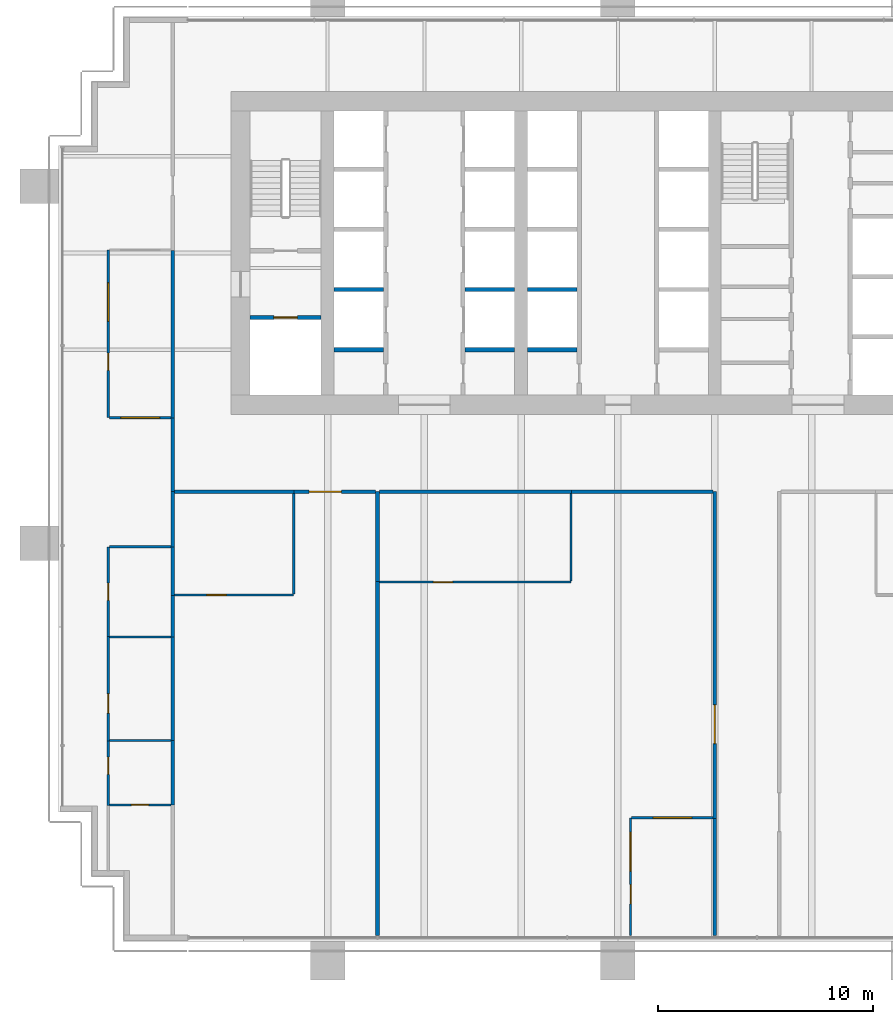
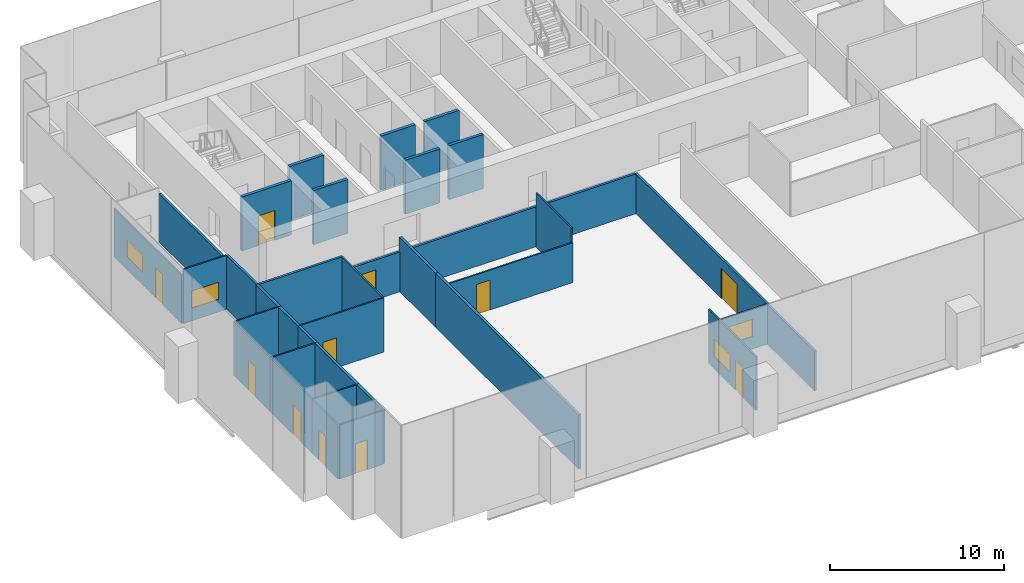
# One storey, part 12 of 19: 37 walls, 11 doors, 4 windows, 15 openings.
"""IFC4 building model written with IfcOpenShell, lengths in metres."""

from ifc_helpers import new_model, si_unit, direction, frame, frame_2d, origin, place, context, subcontext, project, spatial, rectangle, extrude, material, layer, layer_set, type_object, element, fill, save


model = new_model("IFC4")

# Units and contexts
model_context = context("Model", 3, precision=1e-05, world=origin(), true_north=direction((0.0, 1.0)))
body_context = subcontext(model_context, "Body", "Model", "MODEL_VIEW")
ifc_project = project(units=[si_unit("LENGTHUNIT", "METRE"), si_unit("AREAUNIT", "SQUARE_METRE"), si_unit("VOLUMEUNIT", "CUBIC_METRE"), si_unit("PLANEANGLEUNIT", "RADIAN"), si_unit("MASSUNIT", "GRAM", prefix="KILO")], contexts=[model_context])

# Site, building, storey
site_placement = place(None, origin())
site = spatial("IfcSite", under=ifc_project, at=site_placement, CompositionType="ELEMENT")
building_placement = place(site_placement, origin())
building = spatial("IfcBuilding", under=site, at=building_placement, Name="Rattan Terrace Tower", CompositionType="ELEMENT")
storey_placement = place(building_placement, frame((0.0, 0.0, 91.699951171875)))
storey = spatial("IfcBuildingStorey", under=building, at=storey_placement, Name="L20", CompositionType="ELEMENT", Elevation=91.699951171875)

# Wall, opening, door
ifc_material_1 = material(Name="Gypsum board partition")
ifc_layer_1 = layer(ifc_material_1, 0.199951171875)
ifc_layer_set_1 = layer_set([ifc_layer_1], Name="Core partition 200")
wall_type_1 = type_object("IfcWallType", Name="Core partition 200", PredefinedType="PARTITIONING", material=ifc_layer_set_1)
wall_1_placement = place(storey_placement, frame((-17.10009765625, -3.0, 0.0), z_axis=(0.0, 0.0, 1.0), x_axis=(1.0, 0.0, 0.0)))
wall_1 = element("IfcWall", 1, at=wall_1_placement, inside=storey, type_object=wall_type_1, Name="Fire-fighting lobby wall", PredefinedType="PARTITIONING", context=body_context, shape_type="SweptSolid", body=[
    extrude(rectangle(XDim=3.300048828125, YDim=0.199951171875, at=frame_2d((1.64990234375, 0.0))), origin(), (0.0, 0.0, 1.0), 3.800048828125),
])
opening_1_placement = place(wall_1_placement, frame((1.10009765625, 0.0, 0.0)))
opening_1 = element("IfcOpeningElement", 2, at=opening_1_placement, cuts=wall_1, Name="Opening L20-LD-FF1", PredefinedType="OPENING", context=body_context, shape_type="SweptSolid", body=[
    extrude(rectangle(XDim=1.10009765625, YDim=2.10009765625, at=frame_2d((0.550048828125, 1.050048828125))), frame((0.0, 0.110595703125, 0.0), z_axis=(0.0, -1.0, 0.0), x_axis=(1.0, 0.0, 0.0)), (0.0, 0.0, 1.0), 0.220947265625),
])
ifc_material_2 = material(Name="Brushed stainless landing door panel")
door_type_1 = type_object("IfcDoorType", Name="Core lift landing door 1100", OperationType="DOUBLE_DOOR_SLIDING", PredefinedType="DOOR", material=ifc_material_2)
door_1_placement = place(opening_1_placement, origin())
door_1 = element("IfcDoor", 3, at=door_1_placement, inside=storey, type_object=door_type_1, Name="Door L20-LD-FF1", OperationType="DOUBLE_DOOR_SLIDING", OverallHeight=2.10009765625, OverallWidth=1.10009765625, PredefinedType="DOOR", context=body_context, shape_type="SweptSolid", body=[
    extrude(rectangle(XDim=1.10009765625, YDim=2.10009765625, at=frame_2d((0.550048828125, 1.050048828125))), frame((0.0, 0.02490234375, 0.0), z_axis=(0.0, -1.0, 0.0), x_axis=(1.0, 0.0, 0.0)), (0.0, 0.0, 1.0), 0.050048828125),
])
fill(opening_1, door_1)

# Walls
ifc_material_3 = material(Name="Double steel stud acoustic partition, gypsum board, mineral wool, fire rated", Category="steel")
ifc_layer_2 = layer(ifc_material_3, 0.179931640625)
ifc_layer_set_2 = layer_set([ifc_layer_2], Name="Floors Acoustic Party Wall 180")
wall_type_2 = type_object("IfcWallType", Name="Floors Acoustic Party Wall 180", PredefinedType="PARTITIONING", material=ifc_layer_set_2)
wall_2_placement = place(storey_placement, frame((-20.699951171875, -11.080078125, 0.0), z_axis=(0.0, 0.0, 1.0), x_axis=(0.0, -1.0, 0.0)))
element("IfcWall", 4, at=wall_2_placement, inside=storey, type_object=wall_type_2, Name="pt-L20-026", PredefinedType="PARTITIONING", context=body_context, shape_type="SweptSolid", body=[
    extrude(rectangle(XDim=2.579833984375, YDim=0.179931640625, at=frame_2d((1.2900390625, 0.0))), origin(), (0.0, 0.0, 1.0), 3.800048828125),
])
wall_3_placement = place(storey_placement, frame((-20.699951171875, -22.659912109375, 0.0), z_axis=(0.0, 0.0, 1.0), x_axis=(0.0, -1.0, 0.0)))
element("IfcWall", 5, at=wall_3_placement, inside=storey, type_object=wall_type_2, Name="pt-L20-030", PredefinedType="PARTITIONING", context=body_context, shape_type="SweptSolid", body=[
    extrude(rectangle(XDim=3.0, YDim=0.179931640625, at=frame_2d((1.5, 0.0))), origin(), (0.0, 0.0, 1.0), 3.800048828125),
])
wall_4_placement = place(storey_placement, frame((-20.699951171875, -17.860107421875, 0.0), z_axis=(0.0, 0.0, 1.0), x_axis=(0.0, -1.0, 0.0)))
element("IfcWall", 6, at=wall_4_placement, inside=storey, type_object=wall_type_2, Name="pt-L20-032", PredefinedType="PARTITIONING", context=body_context, shape_type="SweptSolid", body=[
    extrude(rectangle(XDim=4.7998046875, YDim=0.179931640625, at=frame_2d((2.39990234375, 0.0))), origin(), (0.0, 0.0, 1.0), 3.800048828125),
])
wall_5_placement = place(storey_placement, frame((-20.699951171875, -15.919921875, 0.0), z_axis=(0.0, 0.0, 1.0), x_axis=(0.0, -1.0, 0.0)))
element("IfcWall", 7, at=wall_5_placement, inside=storey, type_object=wall_type_2, Name="pt-L20-033", PredefinedType="PARTITIONING", context=body_context, shape_type="SweptSolid", body=[
    extrude(rectangle(XDim=1.940185546875, YDim=0.179931640625, at=frame_2d((0.97021484375, 0.0))), origin(), (0.0, 0.0, 1.0), 3.800048828125),
])
wall_6_placement = place(storey_placement, frame((-20.699951171875, -13.659912109375, 0.0), z_axis=(0.0, 0.0, 1.0), x_axis=(0.0, -1.0, 0.0)))
element("IfcWall", 8, at=wall_6_placement, inside=storey, type_object=wall_type_2, Name="pt-L20-034", PredefinedType="PARTITIONING", context=body_context, shape_type="SweptSolid", body=[
    extrude(rectangle(XDim=2.260009765625, YDim=0.179931640625, at=frame_2d((1.1298828125, 0.0))), origin(), (0.0, 0.0, 1.0), 3.800048828125),
])
wall_7_placement = place(storey_placement, frame((-11.176025390625, -15.280029296875, 0.0), z_axis=(0.0, 0.0, 1.0), x_axis=(0.0, -1.0, 0.0)))
element("IfcWall", 9, at=wall_7_placement, inside=storey, type_object=wall_type_2, Name="pt-L20-059", PredefinedType="PARTITIONING", context=body_context, shape_type="SweptSolid", body=[
    extrude(rectangle(XDim=16.4599609375, YDim=0.179931640625, at=frame_2d((8.22998046875, 0.0))), origin(), (0.0, 0.0, 1.0), 3.800048828125),
])
wall_8_placement = place(storey_placement, frame((-11.176025390625, -11.10009765625, 0.0), z_axis=(0.0, 0.0, 1.0), x_axis=(0.0, -1.0, 0.0)))
element("IfcWall", 10, at=wall_8_placement, inside=storey, type_object=wall_type_2, Name="pt-L20-060", PredefinedType="PARTITIONING", context=body_context, shape_type="SweptSolid", body=[
    extrude(rectangle(XDim=4.179931640625, YDim=0.179931640625, at=frame_2d((2.08984375, 0.0))), origin(), (0.0, 0.0, 1.0), 3.800048828125),
])

# Wall, opening, door
ifc_material_4 = material(Name="Gypsum board partition on steel studs", Category="steel")
ifc_layer_3 = layer(ifc_material_4, 0.10009765625)
ifc_layer_set_3 = layer_set([ifc_layer_3], Name="Floors Partition 100")
wall_type_3 = type_object("IfcWallType", Name="Floors Partition 100", PredefinedType="PARTITIONING", material=ifc_layer_set_3)
wall_9_placement = place(storey_placement, frame((-23.699951171875, -22.679931640625, 0.0), z_axis=(0.0, 0.0, 1.0), x_axis=(0.0, -1.0, 0.0)))
wall_9 = element("IfcWall", 11, at=wall_9_placement, inside=storey, type_object=wall_type_3, Name="pt-L20-019", PredefinedType="PARTITIONING", context=body_context, shape_type="SweptSolid", body=[
    extrude(rectangle(XDim=3.0, YDim=0.10009765625, at=frame_2d((1.5, 0.0))), origin(), (0.0, 0.0, 1.0), 3.800048828125),
])
opening_2_placement = place(wall_9_placement, frame((0.760009765625, 0.0, 0.0)))
opening_2 = element("IfcOpeningElement", 12, at=opening_2_placement, cuts=wall_9, Name="Opening L20-D102", PredefinedType="OPENING", context=body_context, shape_type="SweptSolid", body=[
    extrude(rectangle(XDim=0.800048828125, YDim=2.10009765625, at=frame_2d((0.39990234375, 1.050048828125))), frame((0.0, 0.060546875, 0.0), z_axis=(0.0, -1.0, 0.0), x_axis=(1.0, 0.0, 0.0)), (0.0, 0.0, 1.0), 0.12109375),
])
ifc_material_5 = material(Name="Solid core timber door, painted", Category="wood")
door_type_2 = type_object("IfcDoorType", Name="Floors Store Door 800x2100", OperationType="NOTDEFINED", PredefinedType="DOOR", material=ifc_material_5)
door_2_placement = place(opening_2_placement, origin())
door_2 = element("IfcDoor", 13, at=door_2_placement, inside=storey, type_object=door_type_2, Name="d-L20-102", OperationType="SINGLE_SWING_LEFT", OverallHeight=2.10009765625, OverallWidth=0.800048828125, PredefinedType="DOOR", context=body_context, shape_type="SweptSolid", body=[
    extrude(rectangle(XDim=0.800048828125, YDim=2.10009765625, at=frame_2d((0.39990234375, 1.050048828125))), frame((0.0, 0.02490234375, 0.0), z_axis=(0.0, -1.0, 0.0), x_axis=(1.0, 0.0, 0.0)), (0.0, 0.0, 1.0), 0.050048828125),
])
fill(opening_2, door_2)

wall_10_placement = place(storey_placement, frame((-23.699951171875, -17.840087890625, 0.0), z_axis=(0.0, 0.0, 1.0), x_axis=(0.0, -1.0, 0.0)))
wall_10 = element("IfcWall", 14, at=wall_10_placement, inside=storey, type_object=wall_type_3, Name="pt-L20-020", PredefinedType="PARTITIONING", context=body_context, shape_type="SweptSolid", body=[
    extrude(rectangle(XDim=4.83984375, YDim=0.10009765625, at=frame_2d((2.419921875, 0.0))), origin(), (0.0, 0.0, 1.0), 3.800048828125),
])
opening_3_placement = place(wall_10_placement, frame((2.657958984375, 0.0, 0.0)))
opening_3 = element("IfcOpeningElement", 15, at=opening_3_placement, cuts=wall_10, Name="Opening L20-D103", PredefinedType="OPENING", context=body_context, shape_type="SweptSolid", body=[
    extrude(rectangle(XDim=0.89990234375, YDim=2.10009765625, at=frame_2d((0.449951171875, 1.050048828125))), frame((0.0, 0.060546875, 0.0), z_axis=(0.0, -1.0, 0.0), x_axis=(1.0, 0.0, 0.0)), (0.0, 0.0, 1.0), 0.12109375),
])
ifc_material_6 = material(Name="Solid core timber door, painted", Category="wood")
door_type_3 = type_object("IfcDoorType", Name="Floors Door 900x2100", OperationType="NOTDEFINED", PredefinedType="DOOR", material=ifc_material_6)
door_3_placement = place(opening_3_placement, origin())
door_3 = element("IfcDoor", 16, at=door_3_placement, inside=storey, type_object=door_type_3, Name="d-L20-103", OperationType="SINGLE_SWING_RIGHT", OverallHeight=2.10009765625, OverallWidth=0.89990234375, PredefinedType="DOOR", context=body_context, shape_type="SweptSolid", body=[
    extrude(rectangle(XDim=0.89990234375, YDim=2.10009765625, at=frame_2d((0.449951171875, 1.050048828125))), frame((0.0, 0.02490234375, 0.0), z_axis=(0.0, -1.0, 0.0), x_axis=(1.0, 0.0, 0.0)), (0.0, 0.0, 1.0), 0.050048828125),
])
fill(opening_3, door_3)

wall_11_placement = place(storey_placement, frame((-23.699951171875, -13.659912109375, 0.0), z_axis=(0.0, 0.0, 1.0), x_axis=(0.0, -1.0, 0.0)))
wall_11 = element("IfcWall", 17, at=wall_11_placement, inside=storey, type_object=wall_type_3, Name="pt-L20-021", PredefinedType="PARTITIONING", context=body_context, shape_type="SweptSolid", body=[
    extrude(rectangle(XDim=4.18017578125, YDim=0.10009765625, at=frame_2d((2.090087890625, 0.0))), origin(), (0.0, 0.0, 1.0), 3.800048828125),
])
opening_4_placement = place(wall_11_placement, frame((1.68994140625, 0.0, 0.0)))
opening_4 = element("IfcOpeningElement", 18, at=opening_4_placement, cuts=wall_11, Name="Opening L20-D104", PredefinedType="OPENING", context=body_context, shape_type="SweptSolid", body=[
    extrude(rectangle(XDim=0.800048828125, YDim=2.10009765625, at=frame_2d((0.39990234375, 1.050048828125))), frame((0.0, 0.060546875, 0.0), z_axis=(0.0, -1.0, 0.0), x_axis=(1.0, 0.0, 0.0)), (0.0, 0.0, 1.0), 0.12109375),
])
door_4_placement = place(opening_4_placement, origin())
door_4 = element("IfcDoor", 19, at=door_4_placement, inside=storey, type_object=door_type_2, Name="d-L20-104", OperationType="SINGLE_SWING_LEFT", OverallHeight=2.10009765625, OverallWidth=0.800048828125, PredefinedType="DOOR", context=body_context, shape_type="SweptSolid", body=[
    extrude(rectangle(XDim=0.800048828125, YDim=2.10009765625, at=frame_2d((0.39990234375, 1.050048828125))), frame((0.0, 0.02490234375, 0.0), z_axis=(0.0, -1.0, 0.0), x_axis=(1.0, 0.0, 0.0)), (0.0, 0.0, 1.0), 0.050048828125),
])
fill(opening_4, door_4)

# Wall
wall_12_placement = place(storey_placement, frame((-20.7900390625, -13.659912109375, 0.0), z_axis=(0.0, 0.0, 1.0), x_axis=(-1.0, 0.0, 0.0)))
element("IfcWall", 20, at=wall_12_placement, inside=storey, type_object=wall_type_3, Name="pt-L20-022", PredefinedType="PARTITIONING", context=body_context, shape_type="SweptSolid", body=[
    extrude(rectangle(XDim=2.85986328125, YDim=0.10009765625, at=frame_2d((1.429931640625, 0.0))), origin(), (0.0, 0.0, 1.0), 3.800048828125),
])

# Wall, openings, door, window
wall_13_placement = place(storey_placement, frame((-23.699951171875, 0.139892578125, 0.0), z_axis=(0.0, 0.0, 1.0), x_axis=(0.0, -1.0, 0.0)))
wall_13 = element("IfcWall", 21, at=wall_13_placement, inside=storey, type_object=wall_type_3, Name="pt-L20-023", PredefinedType="PARTITIONING", context=body_context, shape_type="SweptSolid", body=[
    extrude(rectangle(XDim=7.7998046875, YDim=0.10009765625, at=frame_2d((3.89990234375, 0.0))), origin(), (0.0, 0.0, 1.0), 3.400146484375),
])
opening_5_placement = place(wall_13_placement, frame((4.800048828125, 0.0, 0.0)))
opening_5 = element("IfcOpeningElement", 22, at=opening_5_placement, cuts=wall_13, Name="Opening L20-D105", PredefinedType="OPENING", context=body_context, shape_type="SweptSolid", body=[
    extrude(rectangle(XDim=0.800048828125, YDim=2.10009765625, at=frame_2d((0.39990234375, 1.050048828125))), frame((0.0, 0.060546875, 0.0), z_axis=(0.0, -1.0, 0.0), x_axis=(1.0, 0.0, 0.0)), (0.0, 0.0, 1.0), 0.12109375),
])
opening_6_placement = place(wall_13_placement, frame((1.52490234375, 0.0, 0.89990234375)))
opening_6 = element("IfcOpeningElement", 23, at=opening_6_placement, cuts=wall_13, Name="Opening L20-W100", PredefinedType="OPENING", context=body_context, shape_type="SweptSolid", body=[
    extrude(rectangle(XDim=1.800048828125, YDim=1.199951171875, at=frame_2d((0.89990234375, 0.60009765625))), frame((0.0, 0.060546875, 0.0), z_axis=(0.0, -1.0, 0.0), x_axis=(1.0, 0.0, 0.0)), (0.0, 0.0, 1.0), 0.12109375),
])
door_5_placement = place(opening_5_placement, origin())
door_5 = element("IfcDoor", 24, at=door_5_placement, inside=storey, type_object=door_type_2, Name="d-L20-105", OperationType="SINGLE_SWING_RIGHT", OverallHeight=2.10009765625, OverallWidth=0.800048828125, PredefinedType="DOOR", context=body_context, shape_type="SweptSolid", body=[
    extrude(rectangle(XDim=0.800048828125, YDim=2.10009765625, at=frame_2d((0.39990234375, 1.050048828125))), frame((0.0, 0.02490234375, 0.0), z_axis=(0.0, -1.0, 0.0), x_axis=(1.0, 0.0, 0.0)), (0.0, 0.0, 1.0), 0.050048828125),
])
fill(opening_5, door_5)
ifc_material_7 = material(Name="Glass, clear, fixed in aluminium frame", Category="aluminium")
window_type = type_object("IfcWindowType", Name="Interior Vision Window 1800x1200", PartitioningType="SINGLE_PANEL", PredefinedType="WINDOW", material=ifc_material_7)
window_1_placement = place(opening_6_placement, origin())
window_1 = element("IfcWindow", 25, at=window_1_placement, inside=storey, type_object=window_type, Name="w-L20-100", OverallHeight=1.199951171875, OverallWidth=1.800048828125, PartitioningType="SINGLE_PANEL", PredefinedType="WINDOW", context=body_context, shape_type="SweptSolid", body=[
    extrude(rectangle(XDim=1.800048828125, YDim=1.199951171875, at=frame_2d((0.89990234375, 0.60009765625))), frame((0.0, 0.030029296875, 0.0), z_axis=(0.0, -1.0, 0.0), x_axis=(1.0, 0.0, 0.0)), (0.0, 0.0, 1.0), 0.06005859375),
])
fill(opening_6, window_1)

# Wall, opening, window
wall_14_placement = place(storey_placement, frame((-23.64990234375, -7.659912109375, 0.0), z_axis=(0.0, 0.0, 1.0), x_axis=(1.0, 0.0, 0.0)))
wall_14 = element("IfcWall", 26, at=wall_14_placement, inside=storey, type_object=wall_type_3, Name="pt-L20-024", PredefinedType="PARTITIONING", context=body_context, shape_type="SweptSolid", body=[
    extrude(rectangle(XDim=2.875, YDim=0.10009765625, at=frame_2d((1.4375, 0.0))), origin(), (0.0, 0.0, 1.0), 3.800048828125),
])
opening_7_placement = place(wall_14_placement, frame((0.537109375, 0.0, 0.89990234375)))
opening_7 = element("IfcOpeningElement", 27, at=opening_7_placement, cuts=wall_14, Name="Opening L20-W101", PredefinedType="OPENING", context=body_context, shape_type="SweptSolid", body=[
    extrude(rectangle(XDim=1.800048828125, YDim=1.199951171875, at=frame_2d((0.89990234375, 0.60009765625))), frame((0.0, 0.060546875, 0.0), z_axis=(0.0, -1.0, 0.0), x_axis=(1.0, 0.0, 0.0)), (0.0, 0.0, 1.0), 0.12109375),
])
window_2_placement = place(opening_7_placement, origin())
window_2 = element("IfcWindow", 28, at=window_2_placement, inside=storey, type_object=window_type, Name="w-L20-101", OverallHeight=1.199951171875, OverallWidth=1.800048828125, PartitioningType="SINGLE_PANEL", PredefinedType="WINDOW", context=body_context, shape_type="SweptSolid", body=[
    extrude(rectangle(XDim=1.800048828125, YDim=1.199951171875, at=frame_2d((0.89990234375, 0.60009765625))), frame((0.0, 0.030029296875, 0.0), z_axis=(0.0, -1.0, 0.0), x_axis=(1.0, 0.0, 0.0)), (0.0, 0.0, 1.0), 0.06005859375),
])
fill(opening_7, window_2)

# Wall, opening, door
wall_15_placement = place(storey_placement, frame((-20.7900390625, -25.659912109375, 0.0), z_axis=(0.0, 0.0, 1.0), x_axis=(-1.0, 0.0, 0.0)))
wall_15 = element("IfcWall", 29, at=wall_15_placement, inside=storey, type_object=wall_type_3, Name="pt-L20-027", PredefinedType="PARTITIONING", context=body_context, shape_type="SweptSolid", body=[
    extrude(rectangle(XDim=2.85986328125, YDim=0.10009765625, at=frame_2d((1.429931640625, 0.0))), origin(), (0.0, 0.0, 1.0), 3.800048828125),
])
opening_8_placement = place(wall_15_placement, frame((1.030029296875, 0.0, 0.0)))
opening_8 = element("IfcOpeningElement", 30, at=opening_8_placement, cuts=wall_15, Name="Opening L20-D101", PredefinedType="OPENING", context=body_context, shape_type="SweptSolid", body=[
    extrude(rectangle(XDim=0.800048828125, YDim=2.10009765625, at=frame_2d((0.39990234375, 1.050048828125))), frame((0.0, 0.060546875, 0.0), z_axis=(0.0, -1.0, 0.0), x_axis=(1.0, 0.0, 0.0)), (0.0, 0.0, 1.0), 0.12109375),
])
door_6_placement = place(opening_8_placement, origin())
door_6 = element("IfcDoor", 31, at=door_6_placement, inside=storey, type_object=door_type_2, Name="d-L20-101", OperationType="SINGLE_SWING_RIGHT", OverallHeight=2.10009765625, OverallWidth=0.800048828125, PredefinedType="DOOR", context=body_context, shape_type="SweptSolid", body=[
    extrude(rectangle(XDim=0.800048828125, YDim=2.10009765625, at=frame_2d((0.39990234375, 1.050048828125))), frame((0.0, 0.02490234375, 0.0), z_axis=(0.0, -1.0, 0.0), x_axis=(1.0, 0.0, 0.0)), (0.0, 0.0, 1.0), 0.050048828125),
])
fill(opening_8, door_6)

# Walls
for number, where, z_axis, x_axis, name in (
    (32, (-23.64990234375, -22.659912109375, 0.0), (0.0, 0.0, 1.0), (1.0, 0.0, 0.0), "pt-L20-029"),
    (33, (-23.64990234375, -17.860107421875, 0.0), (0.0, 0.0, 1.0), (1.0, 0.0, 0.0), "pt-L20-031"),
):
    element("IfcWall", number, at=place(storey_placement, frame(where, z_axis=z_axis, x_axis=x_axis)), inside=storey, type_object=wall_type_3, Name=name, PredefinedType="PARTITIONING", context=body_context, shape_type="SweptSolid", body=[
        extrude(rectangle(XDim=2.85986328125, YDim=0.10009765625, at=frame_2d((1.429931640625, 0.0))), origin(), (0.0, 0.0, 1.0), 3.800048828125),
    ])

# Wall, opening, door
wall_16_placement = place(storey_placement, frame((-20.610107421875, -15.89990234375, 0.0), z_axis=(0.0, 0.0, 1.0), x_axis=(1.0, 0.0, 0.0)))
wall_16 = element("IfcWall", 34, at=wall_16_placement, inside=storey, type_object=wall_type_3, Name="pt-L20-057", PredefinedType="PARTITIONING", context=body_context, shape_type="SweptSolid", body=[
    extrude(rectangle(XDim=5.5341796875, YDim=0.10009765625, at=frame_2d((2.76708984375, 0.0))), origin(), (0.0, 0.0, 1.0), 3.800048828125),
])
opening_9_placement = place(wall_16_placement, frame((1.489990234375, 0.0, 0.0)))
opening_9 = element("IfcOpeningElement", 35, at=opening_9_placement, cuts=wall_16, Name="Opening L20-D116", PredefinedType="OPENING", context=body_context, shape_type="SweptSolid", body=[
    extrude(rectangle(XDim=0.89990234375, YDim=2.10009765625, at=frame_2d((0.449951171875, 1.050048828125))), frame((0.0, 0.060546875, 0.0), z_axis=(0.0, -1.0, 0.0), x_axis=(1.0, 0.0, 0.0)), (0.0, 0.0, 1.0), 0.12109375),
])
door_7_placement = place(opening_9_placement, origin())
door_7 = element("IfcDoor", 36, at=door_7_placement, inside=storey, type_object=door_type_3, Name="d-L20-116", OperationType="SINGLE_SWING_LEFT", OverallHeight=2.10009765625, OverallWidth=0.89990234375, PredefinedType="DOOR", context=body_context, shape_type="SweptSolid", body=[
    extrude(rectangle(XDim=0.89990234375, YDim=2.10009765625, at=frame_2d((0.449951171875, 1.050048828125))), frame((0.0, 0.02490234375, 0.0), z_axis=(0.0, -1.0, 0.0), x_axis=(1.0, 0.0, 0.0)), (0.0, 0.0, 1.0), 0.050048828125),
])
fill(opening_9, door_7)

# Wall
wall_17_placement = place(storey_placement, frame((-15.075927734375, -15.85009765625, 0.0), z_axis=(0.0, 0.0, 1.0), x_axis=(0.0, 1.0, 0.0)))
element("IfcWall", 37, at=wall_17_placement, inside=storey, type_object=wall_type_3, Name="pt-L20-058", PredefinedType="PARTITIONING", context=body_context, shape_type="SweptSolid", body=[
    extrude(rectangle(XDim=4.675048828125, YDim=0.10009765625, at=frame_2d((2.33740234375, 0.0))), origin(), (0.0, 0.0, 1.0), 3.800048828125),
])

# Wall, openings, door, window
wall_18_placement = place(storey_placement, frame((0.587890625, -26.260009765625, 0.0), z_axis=(0.0, 0.0, 1.0), x_axis=(0.0, -1.0, 0.0)))
wall_18 = element("IfcWall", 38, at=wall_18_placement, inside=storey, type_object=wall_type_3, Name="pt-L20-061", PredefinedType="PARTITIONING", context=body_context, shape_type="SweptSolid", body=[
    extrude(rectangle(XDim=5.47998046875, YDim=0.10009765625, at=frame_2d((2.739990234375, 0.0))), origin(), (0.0, 0.0, 1.0), 3.800048828125),
])
opening_10_placement = place(wall_18_placement, frame((3.10595703125, 0.0, 0.0)))
opening_10 = element("IfcOpeningElement", 39, at=opening_10_placement, cuts=wall_18, Name="Opening L20-D118", PredefinedType="OPENING", context=body_context, shape_type="SweptSolid", body=[
    extrude(rectangle(XDim=0.89990234375, YDim=2.10009765625, at=frame_2d((0.449951171875, 1.050048828125))), frame((0.0, 0.060546875, 0.0), z_axis=(0.0, -1.0, 0.0), x_axis=(1.0, 0.0, 0.0)), (0.0, 0.0, 1.0), 0.12109375),
])
opening_11_placement = place(wall_18_placement, frame((0.677978515625, 0.0, 0.89990234375)))
opening_11 = element("IfcOpeningElement", 40, at=opening_11_placement, cuts=wall_18, Name="Opening L20-W107", PredefinedType="OPENING", context=body_context, shape_type="SweptSolid", body=[
    extrude(rectangle(XDim=1.800048828125, YDim=1.199951171875, at=frame_2d((0.89990234375, 0.60009765625))), frame((0.0, 0.060546875, 0.0), z_axis=(0.0, -1.0, 0.0), x_axis=(1.0, 0.0, 0.0)), (0.0, 0.0, 1.0), 0.12109375),
])
door_8_placement = place(opening_10_placement, origin())
door_8 = element("IfcDoor", 41, at=door_8_placement, inside=storey, type_object=door_type_3, Name="d-L20-118", OperationType="SINGLE_SWING_RIGHT", OverallHeight=2.10009765625, OverallWidth=0.89990234375, PredefinedType="DOOR", context=body_context, shape_type="SweptSolid", body=[
    extrude(rectangle(XDim=0.89990234375, YDim=2.10009765625, at=frame_2d((0.449951171875, 1.050048828125))), frame((0.0, 0.02490234375, 0.0), z_axis=(0.0, -1.0, 0.0), x_axis=(1.0, 0.0, 0.0)), (0.0, 0.0, 1.0), 0.050048828125),
])
fill(opening_10, door_8)
window_3_placement = place(opening_11_placement, origin())
window_3 = element("IfcWindow", 42, at=window_3_placement, inside=storey, type_object=window_type, Name="w-L20-107", OverallHeight=1.199951171875, OverallWidth=1.800048828125, PartitioningType="SINGLE_PANEL", PredefinedType="WINDOW", context=body_context, shape_type="SweptSolid", body=[
    extrude(rectangle(XDim=1.800048828125, YDim=1.199951171875, at=frame_2d((0.89990234375, 0.60009765625))), frame((0.0, 0.030029296875, 0.0), z_axis=(0.0, -1.0, 0.0), x_axis=(1.0, 0.0, 0.0)), (0.0, 0.0, 1.0), 0.06005859375),
])
fill(opening_11, window_3)

# Wall, opening, window
wall_19_placement = place(storey_placement, frame((4.425048828125, -26.260009765625, 0.0), z_axis=(0.0, 0.0, 1.0), x_axis=(-1.0, 0.0, 0.0)))
wall_19 = element("IfcWall", 43, at=wall_19_placement, inside=storey, type_object=wall_type_3, Name="pt-L20-062", PredefinedType="PARTITIONING", context=body_context, shape_type="SweptSolid", body=[
    extrude(rectangle(XDim=3.787109375, YDim=0.10009765625, at=frame_2d((1.8935546875, 0.0))), origin(), (0.0, 0.0, 1.0), 2.800048828125),
])
opening_12_placement = place(wall_19_placement, frame((0.992919921875, 0.0, 0.89990234375)))
opening_12 = element("IfcOpeningElement", 44, at=opening_12_placement, cuts=wall_19, Name="Opening L20-W108", PredefinedType="OPENING", context=body_context, shape_type="SweptSolid", body=[
    extrude(rectangle(XDim=1.800048828125, YDim=1.199951171875, at=frame_2d((0.89990234375, 0.60009765625))), frame((0.0, 0.060546875, 0.0), z_axis=(0.0, -1.0, 0.0), x_axis=(1.0, 0.0, 0.0)), (0.0, 0.0, 1.0), 0.12109375),
])
window_4_placement = place(opening_12_placement, origin())
window_4 = element("IfcWindow", 45, at=window_4_placement, inside=storey, type_object=window_type, Name="w-L20-108", OverallHeight=1.199951171875, OverallWidth=1.800048828125, PartitioningType="SINGLE_PANEL", PredefinedType="WINDOW", context=body_context, shape_type="SweptSolid", body=[
    extrude(rectangle(XDim=1.800048828125, YDim=1.199951171875, at=frame_2d((0.89990234375, 0.60009765625))), frame((0.0, 0.030029296875, 0.0), z_axis=(0.0, -1.0, 0.0), x_axis=(1.0, 0.0, 0.0)), (0.0, 0.0, 1.0), 0.06005859375),
])
fill(opening_12, window_4)

# Wall, opening, door
wall_20_placement = place(storey_placement, frame((-11.0859375, -15.300048828125, 0.0), z_axis=(0.0, 0.0, 1.0), x_axis=(1.0, 0.0, 0.0)))
wall_20 = element("IfcWall", 46, at=wall_20_placement, inside=storey, type_object=wall_type_3, Name="pt-L20-063", PredefinedType="PARTITIONING", context=body_context, shape_type="SweptSolid", body=[
    extrude(rectangle(XDim=8.909912109375, YDim=0.10009765625, at=frame_2d((4.455078125, 0.0))), origin(), (0.0, 0.0, 1.0), 2.800048828125),
])
opening_13_placement = place(wall_20_placement, frame((2.5029296875, 0.0, 0.0)))
opening_13 = element("IfcOpeningElement", 47, at=opening_13_placement, cuts=wall_20, Name="Opening L20-D119", PredefinedType="OPENING", context=body_context, shape_type="SweptSolid", body=[
    extrude(rectangle(XDim=0.89990234375, YDim=2.10009765625, at=frame_2d((0.449951171875, 1.050048828125))), frame((0.0, 0.060546875, 0.0), z_axis=(0.0, -1.0, 0.0), x_axis=(1.0, 0.0, 0.0)), (0.0, 0.0, 1.0), 0.12109375),
])
door_9_placement = place(opening_13_placement, origin())
door_9 = element("IfcDoor", 48, at=door_9_placement, inside=storey, type_object=door_type_3, Name="d-L20-119", OperationType="SINGLE_SWING_LEFT", OverallHeight=2.10009765625, OverallWidth=0.89990234375, PredefinedType="DOOR", context=body_context, shape_type="SweptSolid", body=[
    extrude(rectangle(XDim=0.89990234375, YDim=2.10009765625, at=frame_2d((0.449951171875, 1.050048828125))), frame((0.0, 0.02490234375, 0.0), z_axis=(0.0, -1.0, 0.0), x_axis=(1.0, 0.0, 0.0)), (0.0, 0.0, 1.0), 0.050048828125),
])
fill(opening_13, door_9)

# Walls
wall_21_placement = place(storey_placement, frame((-2.176025390625, -15.25, 0.0), z_axis=(0.0, 0.0, 1.0), x_axis=(0.0, 1.0, 0.0)))
element("IfcWall", 49, at=wall_21_placement, inside=storey, type_object=wall_type_3, Name="pt-L20-064", PredefinedType="PARTITIONING", context=body_context, shape_type="SweptSolid", body=[
    extrude(rectangle(XDim=4.074951171875, YDim=0.10009765625, at=frame_2d((2.03759765625, 0.0))), origin(), (0.0, 0.0, 1.0), 3.800048828125),
])
ifc_material_8 = material(Name="Gypsum board partition on steel studs, fire rated", Category="steel")
ifc_layer_4 = layer(ifc_material_8, 0.14990234375)
ifc_layer_set_4 = layer_set([ifc_layer_4], Name="Floors Tenancy Wall 150")
wall_type_4 = type_object("IfcWallType", Name="Floors Tenancy Wall 150", PredefinedType="PARTITIONING", material=ifc_layer_set_4)
wall_22_placement = place(storey_placement, frame((-20.699951171875, -11.080078125, 0.0), z_axis=(0.0, 0.0, 1.0), x_axis=(0.0, 1.0, 0.0)))
element("IfcWall", 50, at=wall_22_placement, inside=storey, type_object=wall_type_4, Name="pt-L20-001", PredefinedType="PARTITIONING", context=body_context, shape_type="SweptSolid", body=[
    extrude(rectangle(XDim=3.400146484375, YDim=0.14990234375, at=frame_2d((1.7001953125, 0.0))), origin(), (0.0, 0.0, 1.0), 3.800048828125),
])
wall_23_placement = place(storey_placement, frame((-20.699951171875, -7.679931640625, 0.0), z_axis=(0.0, 0.0, 1.0), x_axis=(0.0, 1.0, 0.0)))
element("IfcWall", 51, at=wall_23_placement, inside=storey, type_object=wall_type_4, Name="pt-L20-003", PredefinedType="PARTITIONING", context=body_context, shape_type="SweptSolid", body=[
    extrude(rectangle(XDim=7.800048828125, YDim=0.14990234375, at=frame_2d((3.89990234375, 0.0))), origin(), (0.0, 0.0, 1.0), 3.400146484375),
])

# Wall, opening, door
wall_24_placement = place(storey_placement, frame((-11.26611328125, -11.10009765625, 0.0), z_axis=(0.0, 0.0, 1.0), x_axis=(-1.0, 0.0, 0.0)))
wall_24 = element("IfcWall", 52, at=wall_24_placement, inside=storey, type_object=wall_type_4, Name="pt-L20-009", PredefinedType="PARTITIONING", context=body_context, shape_type="SweptSolid", body=[
    extrude(rectangle(XDim=3.789794921875, YDim=0.14990234375, at=frame_2d((1.89501953125, 0.0))), origin(), (0.0, 0.0, 1.0), 2.800048828125),
])
opening_14_placement = place(wall_24_placement, frame((1.592041015625, 0.0, 0.0)))
opening_14 = element("IfcOpeningElement", 53, at=opening_14_placement, cuts=wall_24, Name="Opening L20-D115", PredefinedType="OPENING", context=body_context, shape_type="SweptSolid", body=[
    extrude(rectangle(XDim=1.5, YDim=2.10009765625, at=frame_2d((0.75, 1.050048828125))), frame((0.0, 0.08544921875, 0.0), z_axis=(0.0, -1.0, 0.0), x_axis=(1.0, 0.0, 0.0)), (0.0, 0.0, 1.0), 0.1708984375),
])
ifc_material_9 = material(Name="Steel fire door set", Category="steel")
door_type_4 = type_object("IfcDoorType", Name="Floors Unit Door Pair FD30S 1500x2100", OperationType="NOTDEFINED", PredefinedType="DOOR", material=ifc_material_9)
door_10_placement = place(opening_14_placement, origin())
door_10 = element("IfcDoor", 54, at=door_10_placement, inside=storey, type_object=door_type_4, Name="d-L20-115", OperationType="DOUBLE_DOOR_SINGLE_SWING", OverallHeight=2.10009765625, OverallWidth=1.5, PredefinedType="DOOR", context=body_context, shape_type="SweptSolid", body=[
    extrude(rectangle(XDim=1.5, YDim=2.10009765625, at=frame_2d((0.75, 1.050048828125))), frame((0.0, 0.02490234375, 0.0), z_axis=(0.0, -1.0, 0.0), x_axis=(1.0, 0.0, 0.0)), (0.0, 0.0, 1.0), 0.050048828125),
])
fill(opening_14, door_10)

# Walls
wall_25_placement = place(storey_placement, frame((-15.055908203125, -11.10009765625, 0.0), z_axis=(0.0, 0.0, 1.0), x_axis=(-1.0, 0.0, 0.0)))
element("IfcWall", 55, at=wall_25_placement, inside=storey, type_object=wall_type_4, Name="pt-L20-010", PredefinedType="PARTITIONING", context=body_context, shape_type="SweptSolid", body=[
    extrude(rectangle(XDim=5.55419921875, YDim=0.14990234375, at=frame_2d((2.777099609375, 0.0))), origin(), (0.0, 0.0, 1.0), 3.800048828125),
])
wall_26_placement = place(storey_placement, frame((4.425048828125, -11.10009765625, 0.0), z_axis=(0.0, 0.0, 1.0), x_axis=(-1.0, 0.0, 0.0)))
element("IfcWall", 56, at=wall_26_placement, inside=storey, type_object=wall_type_4, Name="pt-L20-011", PredefinedType="PARTITIONING", context=body_context, shape_type="SweptSolid", body=[
    extrude(rectangle(XDim=6.5810546875, YDim=0.14990234375, at=frame_2d((3.29052734375, 0.0))), origin(), (0.0, 0.0, 1.0), 2.800048828125),
])

# Wall, opening, door
wall_27_placement = place(storey_placement, frame((4.5, -26.280029296875, 0.0), z_axis=(0.0, 0.0, 1.0), x_axis=(0.0, 1.0, 0.0)))
wall_27 = element("IfcWall", 57, at=wall_27_placement, inside=storey, type_object=wall_type_4, Name="pt-L20-012", PredefinedType="PARTITIONING", context=body_context, shape_type="SweptSolid", body=[
    extrude(rectangle(XDim=15.179931640625, YDim=0.14990234375, at=frame_2d((7.58984375, 0.0))), origin(), (0.0, 0.0, 1.0), 2.800048828125),
])
opening_15_placement = place(wall_27_placement, frame((3.469970703125, 0.0, 0.0)))
opening_15 = element("IfcOpeningElement", 58, at=opening_15_placement, cuts=wall_27, Name="Opening L20-D117", PredefinedType="OPENING", context=body_context, shape_type="SweptSolid", body=[
    extrude(rectangle(XDim=1.800048828125, YDim=2.10009765625, at=frame_2d((0.89990234375, 1.050048828125))), frame((0.0, 0.08544921875, 0.0), z_axis=(0.0, -1.0, 0.0), x_axis=(1.0, 0.0, 0.0)), (0.0, 0.0, 1.0), 0.1708984375),
])
ifc_material_10 = material(Name="Steel fire door set", Category="steel")
door_type_5 = type_object("IfcDoorType", Name="Floors Fire Door Pair FD30S 1800x2100", OperationType="NOTDEFINED", PredefinedType="DOOR", material=ifc_material_10)
door_11_placement = place(opening_15_placement, origin())
door_11 = element("IfcDoor", 59, at=door_11_placement, inside=storey, type_object=door_type_5, Name="d-L20-117", OperationType="DOUBLE_DOOR_SINGLE_SWING", OverallHeight=2.10009765625, OverallWidth=1.800048828125, PredefinedType="DOOR", context=body_context, shape_type="SweptSolid", body=[
    extrude(rectangle(XDim=1.800048828125, YDim=2.10009765625, at=frame_2d((0.89990234375, 1.050048828125))), frame((0.0, 0.02490234375, 0.0), z_axis=(0.0, -1.0, 0.0), x_axis=(1.0, 0.0, 0.0)), (0.0, 0.0, 1.0), 0.050048828125),
])
fill(opening_15, door_11)

# Walls
wall_28_placement = place(storey_placement, frame((4.5, -31.739990234375, 0.0), z_axis=(0.0, 0.0, 1.0), x_axis=(0.0, 1.0, 0.0)))
element("IfcWall", 60, at=wall_28_placement, inside=storey, type_object=wall_type_4, Name="pt-L20-013", PredefinedType="PARTITIONING", context=body_context, shape_type="SweptSolid", body=[
    extrude(rectangle(XDim=5.4599609375, YDim=0.14990234375, at=frame_2d((2.72998046875, 0.0))), origin(), (0.0, 0.0, 1.0), 2.800048828125),
])
wall_29_placement = place(storey_placement, frame((-2.156005859375, -11.10009765625, 0.0), z_axis=(0.0, 0.0, 1.0), x_axis=(-1.0, 0.0, 0.0)))
element("IfcWall", 61, at=wall_29_placement, inside=storey, type_object=wall_type_4, Name="pt-L20-014", PredefinedType="PARTITIONING", context=body_context, shape_type="SweptSolid", body=[
    extrude(rectangle(XDim=8.929931640625, YDim=0.14990234375, at=frame_2d((4.46484375, 0.0))), origin(), (0.0, 0.0, 1.0), 2.800048828125),
])
ifc_material_11 = material(Name="Gypsum shaft wall system")
ifc_layer_5 = layer(ifc_material_11, 0.199951171875)
ifc_layer_set_5 = layer_set([ifc_layer_5], Name="Lift shaft wall 200")
wall_type_5 = type_object("IfcWallType", Name="Lift shaft wall 200", PredefinedType="PARTITIONING", material=ifc_layer_set_5)
for number, where, z_axis, x_axis, name in (
    (62, (-13.199951171875, -1.699951171875, 0.0), (0.0, 0.0, 1.0), (1.0, 0.0, 0.0), "Lift shaft wall"),
    (63, (-13.199951171875, -4.5, 0.0), (0.0, 0.0, 1.0), (1.0, 0.0, 0.0), "Lift shaft wall"),
    (64, (-7.10009765625, -1.699951171875, 0.0), (0.0, 0.0, 1.0), (1.0, 0.0, 0.0), "Lift shaft wall"),
    (65, (-7.10009765625, -4.5, 0.0), (0.0, 0.0, 1.0), (1.0, 0.0, 0.0), "Lift shaft wall"),
    (66, (-4.199951171875, -1.699951171875, 0.0), (0.0, 0.0, 1.0), (1.0, 0.0, 0.0), "Lift shaft wall"),
    (67, (-4.199951171875, -4.5, 0.0), (0.0, 0.0, 1.0), (1.0, 0.0, 0.0), "Lift shaft wall"),
):
    element("IfcWall", number, at=place(storey_placement, frame(where, z_axis=z_axis, x_axis=x_axis)), inside=storey, type_object=wall_type_5, Name=name, PredefinedType="PARTITIONING", context=body_context, shape_type="SweptSolid", body=[
        extrude(rectangle(XDim=2.300048828125, YDim=0.199951171875, at=frame_2d((1.14990234375, 0.0))), origin(), (0.0, 0.0, 1.0), 3.800048828125),
    ])

save(model, "model.ifc")
